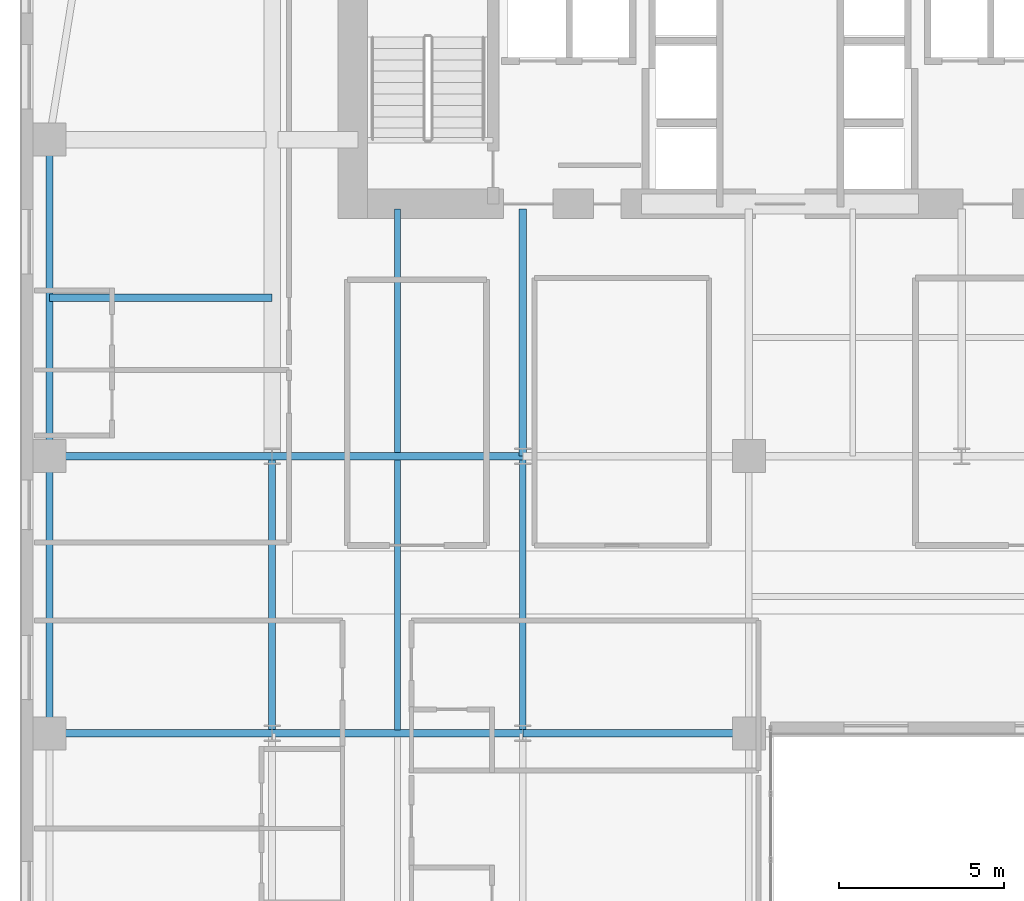
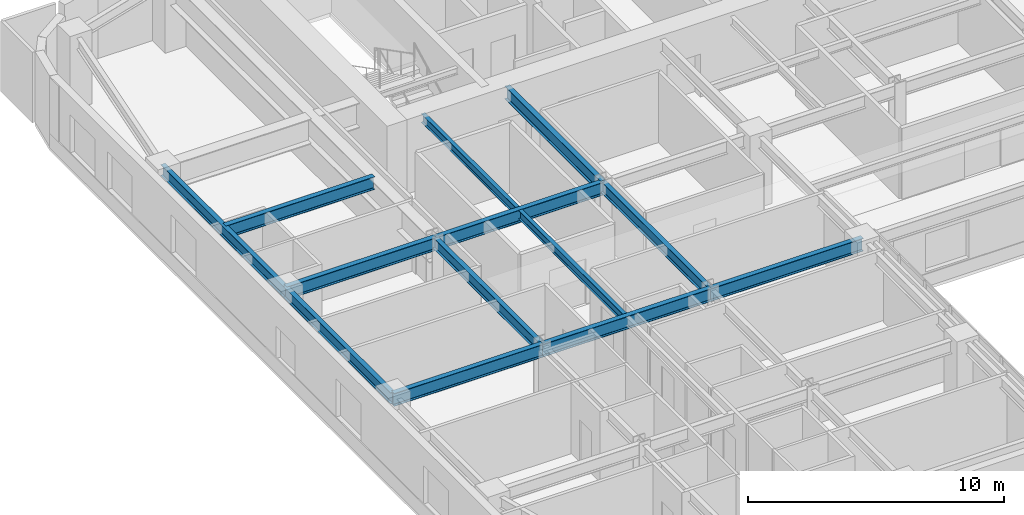
# One storey, part 4 of 25: 13 beams.
"""IFC4 building model written with IfcOpenShell, lengths in metres."""

from ifc_helpers import new_model, si_unit, direction, frame, origin, origin_2d, place, context, subcontext, project, spatial, i_section, extrude, source, transform, mapped, material, material_profile, profile_set, type_object, type_shapes, element, save


model = new_model("IFC4")

# Units and contexts
model_context = context("Model", 3, precision=1e-05, world=origin(), true_north=direction((0.0, 1.0)))
body_context = subcontext(model_context, "Body", "Model", "MODEL_VIEW")
ifc_project = project(units=[si_unit("LENGTHUNIT", "METRE"), si_unit("AREAUNIT", "SQUARE_METRE"), si_unit("VOLUMEUNIT", "CUBIC_METRE"), si_unit("PLANEANGLEUNIT", "RADIAN"), si_unit("MASSUNIT", "GRAM", prefix="KILO")], contexts=[model_context])

# Site, building, storey
site_placement = place(None, origin())
site = spatial("IfcSite", under=ifc_project, at=site_placement, CompositionType="ELEMENT")
building_placement = place(site_placement, origin())
building = spatial("IfcBuilding", under=site, at=building_placement, Name="Tolvann Quenvar Hotel", CompositionType="ELEMENT")
storey_placement = place(building_placement, frame((0.0, 0.0, 46.199951171875)))
storey = spatial("IfcBuildingStorey", under=building, at=storey_placement, Name="L10", CompositionType="ELEMENT", Elevation=46.199951171875)

# Beams
ifc_material = material(Name="Steel Grade 350", Category="steel")
ifc_material_profile_1 = material_profile(ifc_material, i_section(OverallWidth=0.22900390625, OverallDepth=0.612060546875, WebThickness=0.011962890625, FlangeThickness=0.01953125, FilletRadius=0.013916015625, at=origin_2d()), Name="610UB125")
ifc_profile_set_1 = profile_set([ifc_material_profile_1], Name="Steel Grade 350")
beam_type_1 = type_object("IfcBeamType", Name="BM_GIRD_610UB125", PredefinedType="BEAM", material=ifc_profile_set_1)
shared_shape_1 = source(origin(), body_context, "Body", "SweptSolid", [
    extrude(i_section(OverallWidth=0.22900390625, OverallDepth=0.612060546875, WebThickness=0.011962890625, FlangeThickness=0.01953125, FilletRadius=0.013916015625, at=origin_2d()), origin(), (0.0, 0.0, 1.0), 6.75),
])
for number, where, z_axis, x_axis, name in (
    (1, (0.85009765625, 16.0, 3.06396484375), (1.0, 0.0, 0.0), (0.0, 1.0, 0.0), "BM-L10-EW-4-B4-C4"),
    (2, (0.85009765625, 24.39990234375, 3.06396484375), (1.0, 0.0, 0.0), (0.0, 1.0, 0.0), "BM-L10-EW-5-B5-C5"),
    (3, (0.85009765625, 29.199951171875, 3.06396484375), (1.0, 0.0, 0.0), (0.0, 1.0, 0.0), "BM-L10-EW-BC29"),
):
    element("IfcBeam", number, at=place(storey_placement, frame(where, z_axis=z_axis, x_axis=x_axis)), inside=storey, type_object=beam_type_1, Name=name, PredefinedType="BEAM", context=body_context, shape_type="MappedRepresentation", body=[
        mapped(shared_shape_1, transform((0.0, 0.0, 0.0), x_axis=(1.0, 0.0, 0.0), y_axis=(0.0, 1.0, 0.0), z_axis=(0.0, 0.0, 1.0), scale=1.0)),
    ])
shared_shape_2 = source(origin(), body_context, "Body", "SweptSolid", [
    extrude(i_section(OverallWidth=0.22900390625, OverallDepth=0.612060546875, WebThickness=0.011962890625, FlangeThickness=0.01953125, FilletRadius=0.013916015625, at=origin_2d()), origin(), (0.0, 0.0, 1.0), 7.599853515625),
])
for number, where, z_axis, x_axis, name in (
    (4, (7.60009765625, 16.0, 3.06396484375), (1.0, 0.0, 0.0), (0.0, 1.0, 0.0), "BM-L10-EW-4-C4-D4"),
    (5, (7.60009765625, 24.39990234375, 3.06396484375), (1.0, 0.0, 0.0), (0.0, 1.0, 0.0), "BM-L10-EW-5-C5-D5"),
):
    element("IfcBeam", number, at=place(storey_placement, frame(where, z_axis=z_axis, x_axis=x_axis)), inside=storey, type_object=beam_type_1, Name=name, PredefinedType="BEAM", context=body_context, shape_type="MappedRepresentation", body=[
        mapped(shared_shape_2, transform((0.0, 0.0, 0.0), x_axis=(1.0, 0.0, 0.0), y_axis=(0.0, 1.0, 0.0), z_axis=(0.0, 0.0, 1.0), scale=1.0)),
    ])
shared_shape_3 = source(origin(), body_context, "Body", "SweptSolid", [
    extrude(i_section(OverallWidth=0.22900390625, OverallDepth=0.612060546875, WebThickness=0.011962890625, FlangeThickness=0.01953125, FilletRadius=0.013916015625, at=origin_2d()), origin(), (0.0, 0.0, 1.0), 6.85009765625),
])
beam_1_placement = place(storey_placement, frame((15.199951171875, 16.0, 3.06396484375), z_axis=(1.0, 0.0, 0.0), x_axis=(0.0, 1.0, 0.0)))
element("IfcBeam", 6, at=beam_1_placement, inside=storey, type_object=beam_type_1, Name="BM-L10-EW-4-D4-E4", PredefinedType="BEAM", context=body_context, shape_type="MappedRepresentation", body=[
    mapped(shared_shape_3, transform((0.0, 0.0, 0.0), x_axis=(1.0, 0.0, 0.0), y_axis=(0.0, 1.0, 0.0), z_axis=(0.0, 0.0, 1.0), scale=1.0)),
])
ifc_material_profile_2 = material_profile(ifc_material, i_section(OverallWidth=0.208984375, OverallDepth=0.528076171875, WebThickness=0.009521484375, FlangeThickness=0.01318359375, FilletRadius=0.013916015625, at=origin_2d()), Name="530UB82")
ifc_profile_set_2 = profile_set([ifc_material_profile_2], Name="Steel Grade 350")
beam_type_2 = type_object("IfcBeamType", Name="BM_SPAND_530UB82", PredefinedType="SPANDREL", material=ifc_profile_set_2)
shared_shape_4 = source(origin(), body_context, "Body", "SweptSolid", [
    extrude(i_section(OverallWidth=0.208984375, OverallDepth=0.528076171875, WebThickness=0.009521484375, FlangeThickness=0.01318359375, FilletRadius=0.013916015625, at=origin_2d()), origin(), (0.0, 0.0, 1.0), 8.39990234375),
])
beam_2_placement = place(storey_placement, frame((0.85009765625, 16.0, 3.10595703125), z_axis=(0.0, 1.0, 0.0), x_axis=(-1.0, 0.0, 0.0)))
element("IfcBeam", 7, at=beam_2_placement, inside=storey, type_object=beam_type_2, Name="BM-L10-NS-B4-B5", PredefinedType="SPANDREL", context=body_context, shape_type="MappedRepresentation", body=[
    mapped(shared_shape_4, transform((0.0, 0.0, 0.0), x_axis=(1.0, 0.0, 0.0), y_axis=(0.0, 1.0, 0.0), z_axis=(0.0, 0.0, 1.0), scale=1.0)),
])
ifc_material_profile_3 = material_profile(ifc_material, i_section(OverallWidth=0.208984375, OverallDepth=0.532958984375, WebThickness=0.01025390625, FlangeThickness=0.015625, FilletRadius=0.013916015625, at=origin_2d()), Name="530UB92")
ifc_profile_set_3 = profile_set([ifc_material_profile_3], Name="Steel Grade 350")
beam_type_3 = type_object("IfcBeamType", Name="BM_GIRD_530UB92", PredefinedType="BEAM", material=ifc_profile_set_3)
shared_shape_5 = source(origin(), body_context, "Body", "SweptSolid", [
    extrude(i_section(OverallWidth=0.208984375, OverallDepth=0.532958984375, WebThickness=0.01025390625, FlangeThickness=0.015625, FilletRadius=0.013916015625, at=origin_2d()), origin(), (0.0, 0.0, 1.0), 8.39990234375),
])
type_shapes(beam_type_3, [shared_shape_5])
for number, where, z_axis, x_axis, name in (
    (8, (7.60009765625, 16.0, 3.103515625), (0.0, 1.0, 0.0), (-1.0, 0.0, 0.0), "BM-L10-NS-C4-C5"),
    (9, (15.199951171875, 16.0, 3.103515625), (0.0, 1.0, 0.0), (-1.0, 0.0, 0.0), "BM-L10-NS-D4-D5"),
):
    element("IfcBeam", number, at=place(storey_placement, frame(where, z_axis=z_axis, x_axis=x_axis)), inside=storey, type_object=beam_type_3, Name=name, PredefinedType="BEAM", context=body_context, shape_type="MappedRepresentation", body=[
        mapped(shared_shape_5, transform((0.0, 0.0, 0.0), x_axis=(1.0, 0.0, 0.0), y_axis=(0.0, 1.0, 0.0), z_axis=(0.0, 0.0, 1.0), scale=1.0)),
    ])
shared_shape_6 = source(origin(), body_context, "Body", "SweptSolid", [
    extrude(i_section(OverallWidth=0.22900390625, OverallDepth=0.612060546875, WebThickness=0.011962890625, FlangeThickness=0.01953125, FilletRadius=0.013916015625, at=origin_2d()), origin(), (0.0, 0.0, 1.0), 7.5),
])
type_shapes(beam_type_1, [shared_shape_1, shared_shape_2, shared_shape_3, shared_shape_6])
beam_3_placement = place(storey_placement, frame((15.199951171875, 24.39990234375, 3.06396484375), z_axis=(0.0, 1.0, 0.0), x_axis=(-1.0, 0.0, 0.0)))
element("IfcBeam", 10, at=beam_3_placement, inside=storey, type_object=beam_type_1, Name="BM-L10-CORE-D5", PredefinedType="BEAM", context=body_context, shape_type="MappedRepresentation", body=[
    mapped(shared_shape_6, transform((0.0, 0.0, 0.0), x_axis=(1.0, 0.0, 0.0), y_axis=(0.0, 1.0, 0.0), z_axis=(0.0, 0.0, 1.0), scale=1.0)),
])
shared_shape_7 = source(origin(), body_context, "Body", "SweptSolid", [
    extrude(i_section(OverallWidth=0.208984375, OverallDepth=0.528076171875, WebThickness=0.009521484375, FlangeThickness=0.01318359375, FilletRadius=0.013916015625, at=origin_2d()), origin(), (0.0, 0.0, 1.0), 9.60009765625),
])
type_shapes(beam_type_2, [shared_shape_4, shared_shape_7])
beam_4_placement = place(storey_placement, frame((0.85009765625, 24.39990234375, 3.10595703125), z_axis=(0.0, 1.0, 0.0), x_axis=(-1.0, 0.0, 0.0)))
element("IfcBeam", 11, at=beam_4_placement, inside=storey, type_object=beam_type_2, Name="BM-L10-FLK-W1", PredefinedType="SPANDREL", context=body_context, shape_type="MappedRepresentation", body=[
    mapped(shared_shape_7, transform((0.0, 0.0, 0.0), x_axis=(1.0, 0.0, 0.0), y_axis=(0.0, 1.0, 0.0), z_axis=(0.0, 0.0, 1.0), scale=1.0)),
])
ifc_material_profile_4 = material_profile(ifc_material, i_section(OverallWidth=0.177978515625, OverallDepth=0.406005859375, WebThickness=0.0078125, FlangeThickness=0.0126953125, FilletRadius=0.011474609375, at=origin_2d()), Name="410UB60")
ifc_profile_set_4 = profile_set([ifc_material_profile_4], Name="Steel Grade 350")
beam_type_4 = type_object("IfcBeamType", Name="BM_JOIST_410UB60", PredefinedType="JOIST", material=ifc_profile_set_4)
shared_shape_8 = source(origin(), body_context, "Body", "SweptSolid", [
    extrude(i_section(OverallWidth=0.177978515625, OverallDepth=0.406005859375, WebThickness=0.0078125, FlangeThickness=0.0126953125, FilletRadius=0.011474609375, at=origin_2d()), origin(), (0.0, 0.0, 1.0), 8.18310546875),
])
beam_5_placement = place(storey_placement, frame((11.39990234375, 16.1083984375, 3.1669921875), z_axis=(0.0, 1.0, 0.0), x_axis=(-1.0, 0.0, 0.0)))
element("IfcBeam", 12, at=beam_5_placement, inside=storey, type_object=beam_type_4, Name="BJ-L10-114-160", PredefinedType="JOIST", context=body_context, shape_type="MappedRepresentation", body=[
    mapped(shared_shape_8, transform((0.0, 0.0, 0.0), x_axis=(1.0, 0.0, 0.0), y_axis=(0.0, 1.0, 0.0), z_axis=(0.0, 0.0, 1.0), scale=1.0)),
])
shared_shape_9 = source(origin(), body_context, "Body", "SweptSolid", [
    extrude(i_section(OverallWidth=0.177978515625, OverallDepth=0.406005859375, WebThickness=0.0078125, FlangeThickness=0.0126953125, FilletRadius=0.011474609375, at=origin_2d()), origin(), (0.0, 0.0, 1.0), 7.391357421875),
])
type_shapes(beam_type_4, [shared_shape_8, shared_shape_9])
beam_6_placement = place(storey_placement, frame((11.39990234375, 24.508544921875, 3.1669921875), z_axis=(0.0, 1.0, 0.0), x_axis=(-1.0, 0.0, 0.0)))
element("IfcBeam", 13, at=beam_6_placement, inside=storey, type_object=beam_type_4, Name="BJ-L10-114-244", PredefinedType="JOIST", context=body_context, shape_type="MappedRepresentation", body=[
    mapped(shared_shape_9, transform((0.0, 0.0, 0.0), x_axis=(1.0, 0.0, 0.0), y_axis=(0.0, 1.0, 0.0), z_axis=(0.0, 0.0, 1.0), scale=1.0)),
])

save(model, "model.ifc")
